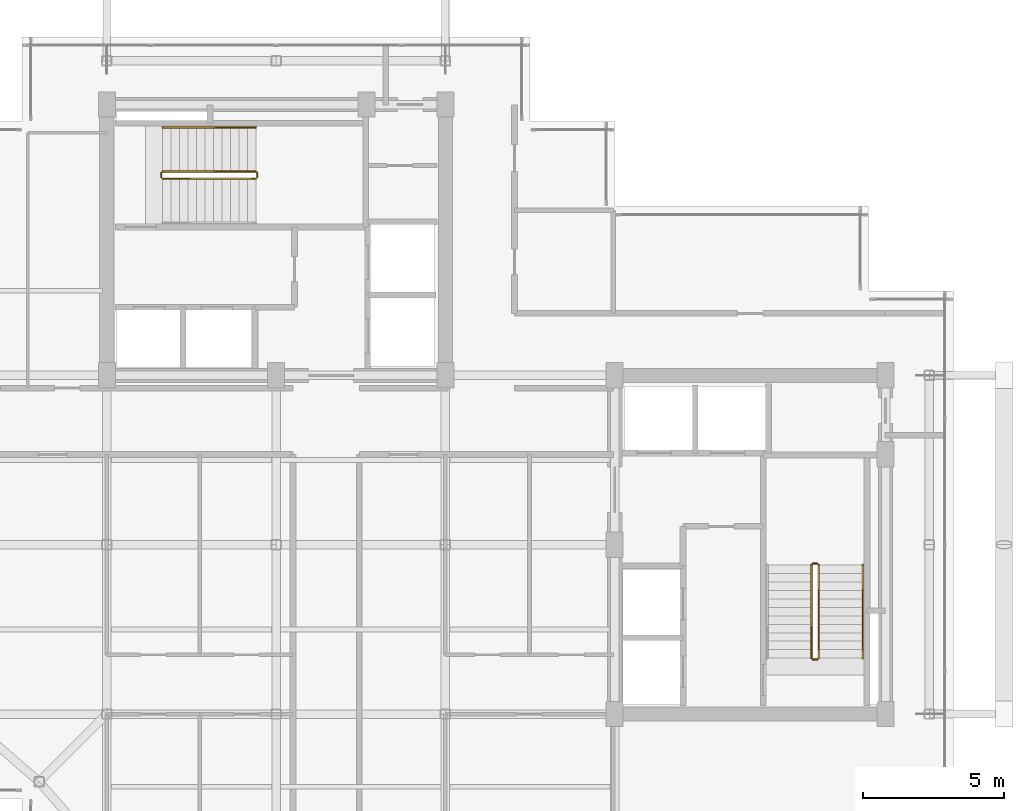
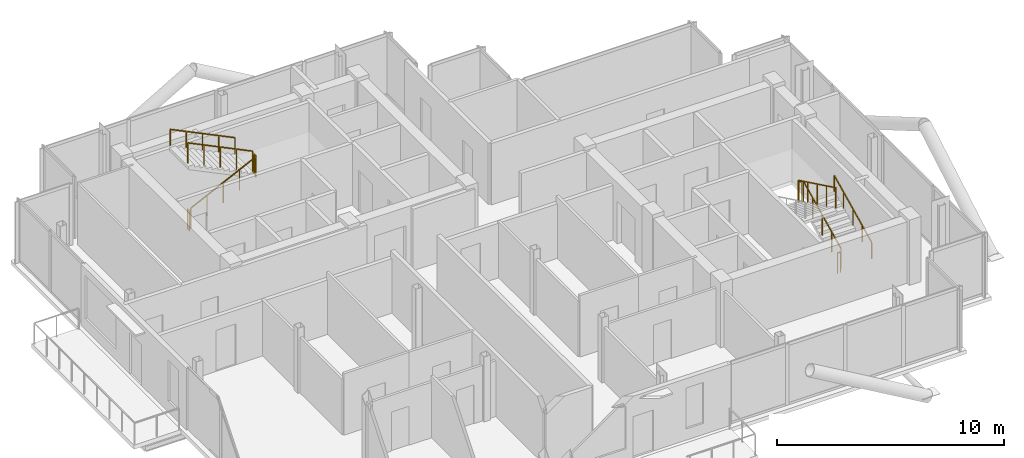
# One storey, part 18 of 18: 10 railings.
"""IFC4 building model written with IfcOpenShell, lengths in metres."""

from ifc_helpers import new_model, si_unit, direction, frame, origin, origin_2d, place, context, subcontext, project, spatial, rectangle, extrude, material, type_object, element, save


model = new_model("IFC4")

# Units and contexts
model_context = context("Model", 3, precision=1e-05, world=origin(), true_north=direction((0.0, 1.0)))
body_context = subcontext(model_context, "Body", "Model", "MODEL_VIEW")
ifc_project = project(units=[si_unit("LENGTHUNIT", "METRE"), si_unit("AREAUNIT", "SQUARE_METRE"), si_unit("VOLUMEUNIT", "CUBIC_METRE"), si_unit("PLANEANGLEUNIT", "RADIAN"), si_unit("MASSUNIT", "GRAM", prefix="KILO"), si_unit("THERMODYNAMICTEMPERATUREUNIT", "KELVIN"), si_unit("POWERUNIT", "WATT")], contexts=[model_context])

# Site, building, storey
site_placement = place(None, origin())
site = spatial("IfcSite", under=ifc_project, at=site_placement, CompositionType="ELEMENT")
building_placement = place(site_placement, origin())
building = spatial("IfcBuilding", under=site, at=building_placement, Name="Svarakhadi Broadcast Tower", CompositionType="ELEMENT")
storey_placement = place(building_placement, frame((0.0, 0.0, 250.199951171875)))
storey = spatial("IfcBuildingStorey", under=building, at=storey_placement, Name="L62", CompositionType="ELEMENT", Elevation=250.199951171875)

# Railings
ifc_material = material(Name="Anodised Bronze Aluminium AA 6063-T6", Category="aluminium")
railing_type_1 = type_object("IfcRailingType", Name="Guard_Stair_GR01", PredefinedType="GUARDRAIL", material=ifc_material)
railing_1_placement = place(storey_placement, frame((7.97998046875, 24.969970703125, 0.14599609375)))
element("IfcRailing", 1, at=railing_1_placement, inside=storey, type_object=railing_type_1, Name="L62 ST-01 stair guard 1", PredefinedType="GUARDRAIL", context=body_context, shape_type="SweptSolid", body=[
    extrude(rectangle(XDim=0.048095703125, YDim=0.048095703125, at=origin_2d()), frame((0.0, 0.0, 1.09619140625), z_axis=(0.899387838337, 0.0, 0.437151594131), x_axis=(0.0, 1.0, 0.0)), (0.0, 0.0, 1.0), 3.669189453125),
    extrude(rectangle(XDim=0.0419921875, YDim=0.0419921875, at=origin_2d()), origin(), (0.0, 0.0, 1.0), 1.072021484375),
    extrude(rectangle(XDim=0.0419921875, YDim=0.0419921875, at=origin_2d()), frame((0.824951171875, 0.0, 0.40087890625)), (0.0, 0.0, 1.0), 1.072021484375),
    extrude(rectangle(XDim=0.0419921875, YDim=0.0419921875, at=origin_2d()), frame((1.64990234375, 0.0, 0.802001953125)), (0.0, 0.0, 1.0), 1.072021484375),
    extrude(rectangle(XDim=0.0419921875, YDim=0.0419921875, at=origin_2d()), frame((2.47509765625, 0.0, 1.203125)), (0.0, 0.0, 1.0), 1.072021484375),
    extrude(rectangle(XDim=0.0419921875, YDim=0.0419921875, at=origin_2d()), frame((3.300048828125, 0.0, 1.60400390625)), (0.0, 0.0, 1.0), 1.072021484375),
])
railing_2_placement = place(storey_placement, frame((11.330078125, 25.02001953125, 1.75)))
element("IfcRailing", 2, at=railing_2_placement, inside=storey, type_object=railing_type_1, Name="L62 ST-01 stair guard 2", PredefinedType="GUARDRAIL", context=body_context, shape_type="SweptSolid", body=[
    extrude(rectangle(XDim=0.048095703125, YDim=0.048095703125, at=origin_2d()), frame((0.0, 0.0, 1.09619140625), z_axis=(0.0, 1.0, 0.0), x_axis=(-1.0, 0.0, 0.0)), (0.0, 0.0, 1.0), 0.159912109375),
    extrude(rectangle(XDim=0.0419921875, YDim=0.0419921875, at=origin_2d()), origin(), (0.0, 0.0, 1.0), 1.072021484375),
    extrude(rectangle(XDim=0.0419921875, YDim=0.0419921875, at=origin_2d()), frame((0.0, 0.159912109375, 0.0)), (0.0, 0.0, 1.0), 1.072021484375),
])
railing_3_placement = place(storey_placement, frame((11.280029296875, 25.22998046875, 1.89599609375)))
element("IfcRailing", 3, at=railing_3_placement, inside=storey, type_object=railing_type_1, Name="L62 ST-01 stair guard 3", PredefinedType="GUARDRAIL", context=body_context, shape_type="SweptSolid", body=[
    extrude(rectangle(XDim=0.048095703125, YDim=0.048095703125, at=origin_2d()), frame((0.0, 0.0, 1.09619140625), z_axis=(-0.899387838337, 0.0, 0.437151594131), x_axis=(0.0, -1.0, 0.0)), (0.0, 0.0, 1.0), 3.669189453125),
    extrude(rectangle(XDim=0.0419921875, YDim=0.0419921875, at=origin_2d()), origin(), (0.0, 0.0, 1.0), 1.072021484375),
    extrude(rectangle(XDim=0.0419921875, YDim=0.0419921875, at=origin_2d()), frame((-0.824951171875, 0.0, 0.40087890625)), (0.0, 0.0, 1.0), 1.072021484375),
    extrude(rectangle(XDim=0.0419921875, YDim=0.0419921875, at=origin_2d()), frame((-1.64990234375, 0.0, 0.802001953125)), (0.0, 0.0, 1.0), 1.072021484375),
    extrude(rectangle(XDim=0.0419921875, YDim=0.0419921875, at=origin_2d()), frame((-2.47509765625, 0.0, 1.203125)), (0.0, 0.0, 1.0), 1.072021484375),
    extrude(rectangle(XDim=0.0419921875, YDim=0.0419921875, at=origin_2d()), frame((-3.300048828125, 0.0, 1.60400390625)), (0.0, 0.0, 1.0), 1.072021484375),
])
railing_4_placement = place(storey_placement, frame((7.929931640625, 25.02001953125, 0.0)))
element("IfcRailing", 4, at=railing_4_placement, inside=storey, type_object=railing_type_1, Name="L62 ST-01 stair guard 4", PredefinedType="GUARDRAIL", context=body_context, shape_type="SweptSolid", body=[
    extrude(rectangle(XDim=0.048095703125, YDim=0.048095703125, at=origin_2d()), frame((0.0, 0.0, 1.09619140625), z_axis=(0.0, 1.0, 0.0), x_axis=(-1.0, 0.0, 0.0)), (0.0, 0.0, 1.0), 0.159912109375),
    extrude(rectangle(XDim=0.0419921875, YDim=0.0419921875, at=origin_2d()), origin(), (0.0, 0.0, 1.0), 1.072021484375),
    extrude(rectangle(XDim=0.0419921875, YDim=0.0419921875, at=origin_2d()), frame((0.0, 0.159912109375, 0.0)), (0.0, 0.0, 1.0), 1.072021484375),
])
railing_5_placement = place(storey_placement, frame((31.22998046875, 7.97998046875, 0.14599609375)))
element("IfcRailing", 5, at=railing_5_placement, inside=storey, type_object=railing_type_1, Name="L62 ST-02 stair guard 1", PredefinedType="GUARDRAIL", context=body_context, shape_type="SweptSolid", body=[
    extrude(rectangle(XDim=0.048095703125, YDim=0.048095703125, at=origin_2d()), frame((0.0, 0.0, 1.09619140625), z_axis=(0.0, 0.899387838337, 0.437151594131), x_axis=(-1.0, 0.0, 0.0)), (0.0, 0.0, 1.0), 3.669189453125),
    extrude(rectangle(XDim=0.0419921875, YDim=0.0419921875, at=origin_2d()), origin(), (0.0, 0.0, 1.0), 1.072021484375),
    extrude(rectangle(XDim=0.0419921875, YDim=0.0419921875, at=origin_2d()), frame((0.0, 0.824951171875, 0.40087890625)), (0.0, 0.0, 1.0), 1.072021484375),
    extrude(rectangle(XDim=0.0419921875, YDim=0.0419921875, at=origin_2d()), frame((0.0, 1.64990234375, 0.802001953125)), (0.0, 0.0, 1.0), 1.072021484375),
    extrude(rectangle(XDim=0.0419921875, YDim=0.0419921875, at=origin_2d()), frame((0.0, 2.47509765625, 1.203125)), (0.0, 0.0, 1.0), 1.072021484375),
    extrude(rectangle(XDim=0.0419921875, YDim=0.0419921875, at=origin_2d()), frame((0.0, 3.300048828125, 1.60400390625)), (0.0, 0.0, 1.0), 1.072021484375),
])
railing_6_placement = place(storey_placement, frame((31.179931640625, 11.330078125, 1.75)))
element("IfcRailing", 6, at=railing_6_placement, inside=storey, type_object=railing_type_1, Name="L62 ST-02 stair guard 2", PredefinedType="GUARDRAIL", context=body_context, shape_type="SweptSolid", body=[
    extrude(rectangle(XDim=0.048095703125, YDim=0.048095703125, at=origin_2d()), frame((0.0, 0.0, 1.09619140625), z_axis=(-1.0, 0.0, 0.0), x_axis=(0.0, -1.0, 0.0)), (0.0, 0.0, 1.0), 0.159912109375),
    extrude(rectangle(XDim=0.0419921875, YDim=0.0419921875, at=origin_2d()), origin(), (0.0, 0.0, 1.0), 1.072021484375),
    extrude(rectangle(XDim=0.0419921875, YDim=0.0419921875, at=origin_2d()), frame((-0.159912109375, 0.0, 0.0)), (0.0, 0.0, 1.0), 1.072021484375),
])
railing_7_placement = place(storey_placement, frame((30.969970703125, 11.280029296875, 1.89599609375)))
element("IfcRailing", 7, at=railing_7_placement, inside=storey, type_object=railing_type_1, Name="L62 ST-02 stair guard 3", PredefinedType="GUARDRAIL", context=body_context, shape_type="SweptSolid", body=[
    extrude(rectangle(XDim=0.048095703125, YDim=0.048095703125, at=origin_2d()), frame((0.0, 0.0, 1.09619140625), z_axis=(0.0, -0.899387838337, 0.437151594131), x_axis=(1.0, 0.0, 0.0)), (0.0, 0.0, 1.0), 3.669189453125),
    extrude(rectangle(XDim=0.0419921875, YDim=0.0419921875, at=origin_2d()), origin(), (0.0, 0.0, 1.0), 1.072021484375),
    extrude(rectangle(XDim=0.0419921875, YDim=0.0419921875, at=origin_2d()), frame((0.0, -0.824951171875, 0.40087890625)), (0.0, 0.0, 1.0), 1.072021484375),
    extrude(rectangle(XDim=0.0419921875, YDim=0.0419921875, at=origin_2d()), frame((0.0, -1.64990234375, 0.802001953125)), (0.0, 0.0, 1.0), 1.072021484375),
    extrude(rectangle(XDim=0.0419921875, YDim=0.0419921875, at=origin_2d()), frame((0.0, -2.47509765625, 1.203125)), (0.0, 0.0, 1.0), 1.072021484375),
    extrude(rectangle(XDim=0.0419921875, YDim=0.0419921875, at=origin_2d()), frame((0.0, -3.300048828125, 1.60400390625)), (0.0, 0.0, 1.0), 1.072021484375),
])
railing_8_placement = place(storey_placement, frame((31.179931640625, 7.929931640625, 0.0)))
element("IfcRailing", 8, at=railing_8_placement, inside=storey, type_object=railing_type_1, Name="L62 ST-02 stair guard 4", PredefinedType="GUARDRAIL", context=body_context, shape_type="SweptSolid", body=[
    extrude(rectangle(XDim=0.048095703125, YDim=0.048095703125, at=origin_2d()), frame((0.0, 0.0, 1.09619140625), z_axis=(-1.0, 0.0, 0.0), x_axis=(0.0, -1.0, 0.0)), (0.0, 0.0, 1.0), 0.159912109375),
    extrude(rectangle(XDim=0.0419921875, YDim=0.0419921875, at=origin_2d()), origin(), (0.0, 0.0, 1.0), 1.072021484375),
    extrude(rectangle(XDim=0.0419921875, YDim=0.0419921875, at=origin_2d()), frame((-0.159912109375, 0.0, 0.0)), (0.0, 0.0, 1.0), 1.072021484375),
])
railing_type_2 = type_object("IfcRailingType", Name="Handrail_Stair_HR01", PredefinedType="HANDRAIL", material=ifc_material)
railing_9_placement = place(storey_placement, frame((11.280029296875, 26.7900390625, 1.89599609375)))
element("IfcRailing", 9, at=railing_9_placement, inside=storey, type_object=railing_type_2, Name="L62 ST-01 stair handrail 2", PredefinedType="HANDRAIL", context=body_context, shape_type="SweptSolid", body=[
    extrude(rectangle(XDim=0.048095703125, YDim=0.048095703125, at=origin_2d()), frame((0.0, 0.0, 0.8759765625), z_axis=(-0.899387838337, 0.0, 0.437151594131), x_axis=(0.0, -1.0, 0.0)), (0.0, 0.0, 1.0), 3.669189453125),
    extrude(rectangle(XDim=0.0419921875, YDim=0.0419921875, at=origin_2d()), origin(), (0.0, 0.0, 1.0), 0.851806640625),
    extrude(rectangle(XDim=0.0419921875, YDim=0.0419921875, at=origin_2d()), frame((-0.824951171875, 0.0, 0.40087890625)), (0.0, 0.0, 1.0), 0.851806640625),
    extrude(rectangle(XDim=0.0419921875, YDim=0.0419921875, at=origin_2d()), frame((-1.64990234375, 0.0, 0.802001953125)), (0.0, 0.0, 1.0), 0.851806640625),
    extrude(rectangle(XDim=0.0419921875, YDim=0.0419921875, at=origin_2d()), frame((-2.47509765625, 0.0, 1.203125)), (0.0, 0.0, 1.0), 0.851806640625),
    extrude(rectangle(XDim=0.0419921875, YDim=0.0419921875, at=origin_2d()), frame((-3.300048828125, 0.0, 1.60400390625)), (0.0, 0.0, 1.0), 0.851806640625),
])
railing_10_placement = place(storey_placement, frame((32.7900390625, 7.97998046875, 0.14599609375)))
element("IfcRailing", 10, at=railing_10_placement, inside=storey, type_object=railing_type_2, Name="L62 ST-02 stair handrail 1", PredefinedType="HANDRAIL", context=body_context, shape_type="SweptSolid", body=[
    extrude(rectangle(XDim=0.048095703125, YDim=0.048095703125, at=origin_2d()), frame((0.0, 0.0, 0.8759765625), z_axis=(0.0, 0.899387838337, 0.437151594131), x_axis=(-1.0, 0.0, 0.0)), (0.0, 0.0, 1.0), 3.669189453125),
    extrude(rectangle(XDim=0.0419921875, YDim=0.0419921875, at=origin_2d()), origin(), (0.0, 0.0, 1.0), 0.851806640625),
    extrude(rectangle(XDim=0.0419921875, YDim=0.0419921875, at=origin_2d()), frame((0.0, 0.824951171875, 0.40087890625)), (0.0, 0.0, 1.0), 0.851806640625),
    extrude(rectangle(XDim=0.0419921875, YDim=0.0419921875, at=origin_2d()), frame((0.0, 1.64990234375, 0.802001953125)), (0.0, 0.0, 1.0), 0.851806640625),
    extrude(rectangle(XDim=0.0419921875, YDim=0.0419921875, at=origin_2d()), frame((0.0, 2.47509765625, 1.203125)), (0.0, 0.0, 1.0), 0.851806640625),
    extrude(rectangle(XDim=0.0419921875, YDim=0.0419921875, at=origin_2d()), frame((0.0, 3.300048828125, 1.60400390625)), (0.0, 0.0, 1.0), 0.851806640625),
])

save(model, "model.ifc")
